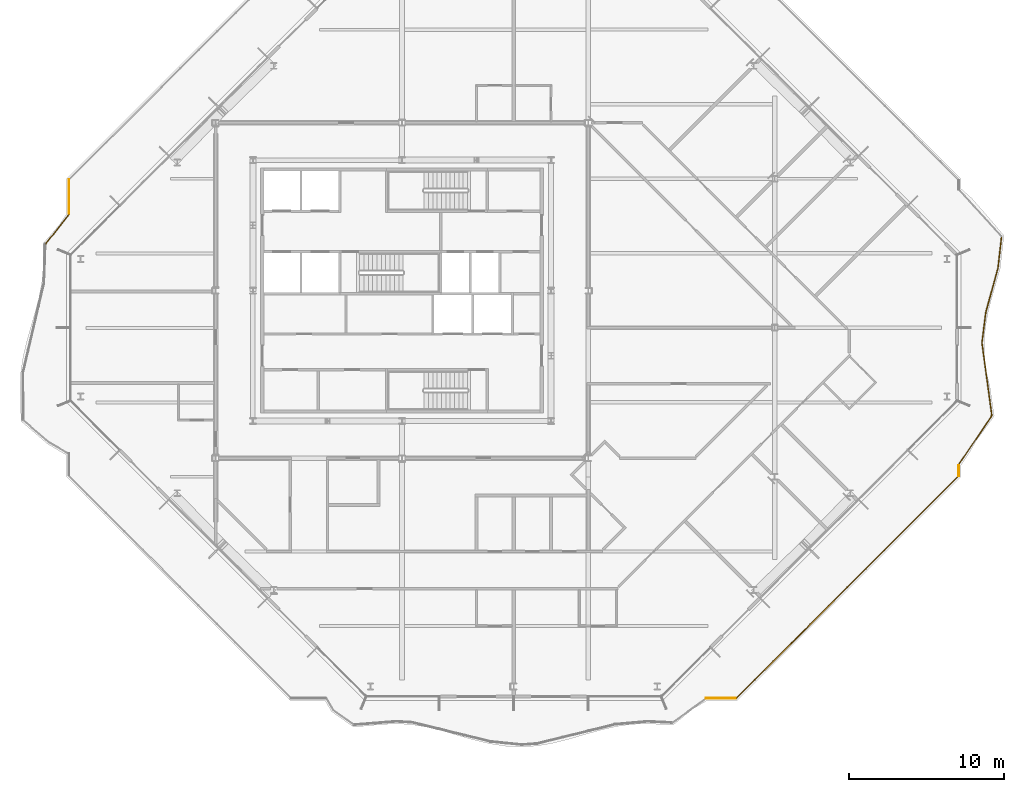
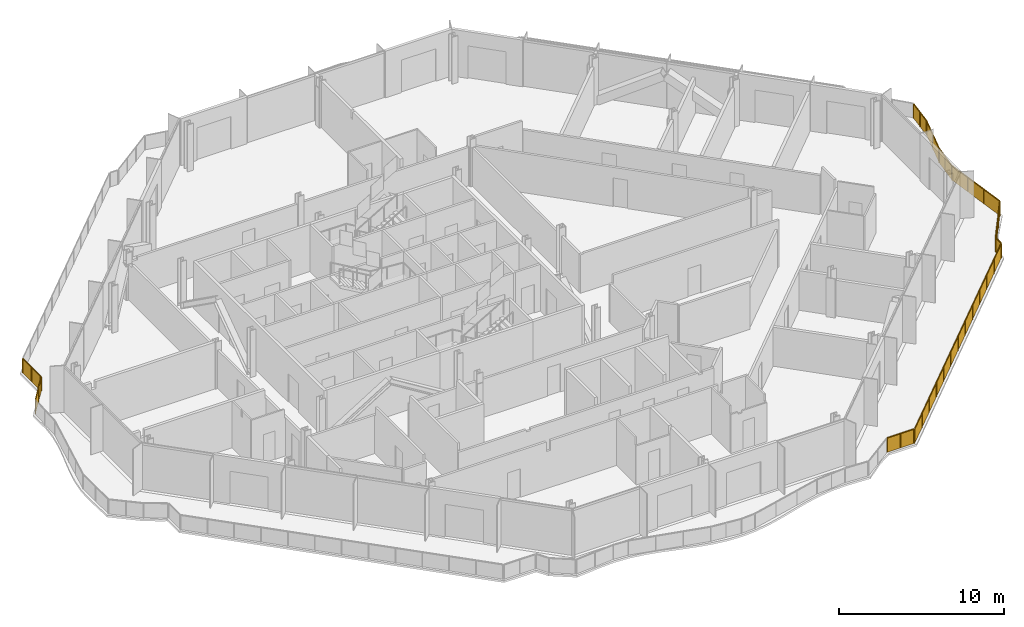
# One storey, part 15 of 17: 7 railings.
"""IFC4 building model written with IfcOpenShell, lengths in metres."""

from ifc_helpers import new_model, si_unit, direction, frame, origin, origin_2d, place, context, subcontext, project, spatial, polyline, rectangle, outline, extrude, material, type_object, element, save


model = new_model("IFC4")

# Units and contexts
model_context = context("Model", 3, precision=1e-05, world=origin(), true_north=direction((0.0, 1.0)))
body_context = subcontext(model_context, "Body", "Model", "MODEL_VIEW")
ifc_project = project(units=[si_unit("LENGTHUNIT", "METRE"), si_unit("AREAUNIT", "SQUARE_METRE"), si_unit("VOLUMEUNIT", "CUBIC_METRE"), si_unit("PLANEANGLEUNIT", "RADIAN"), si_unit("MASSUNIT", "GRAM", prefix="KILO")], contexts=[model_context])

# Site, building, storey
site_placement = place(None, origin())
site = spatial("IfcSite", under=ifc_project, at=site_placement, CompositionType="ELEMENT")
building_placement = place(site_placement, origin())
building = spatial("IfcBuilding", under=site, at=building_placement, Name="Cairn Pilgrim Tower", CompositionType="ELEMENT")
storey_placement = place(building_placement, frame((0.0, 0.0, 210.60009765625)))
storey = spatial("IfcBuildingStorey", under=building, at=storey_placement, Name="L53", CompositionType="ELEMENT", Elevation=210.60009765625)

# Railings
ifc_material = material(Name="Bronze anodised aluminium rail and posts with laminated glass infill", Category="aluminium")
railing_type = type_object("IfcRailingType", Name="BALCONY GUARD 1100", PredefinedType="GUARDRAIL", material=ifc_material)
railing_1_placement = place(storey_placement, frame((26.80322265625, -23.857421875, 0.0)))
element("IfcRailing", 1, at=railing_1_placement, inside=storey, type_object=railing_type, Name="Balcony guard BG-1", PredefinedType="GUARDRAIL", context=body_context, shape_type="SweptSolid", body=[
    extrude(rectangle(XDim=0.050048828125, YDim=0.050048828125, at=origin_2d()), frame((0.0, 0.0, 1.0751953125), z_axis=(0.999992867116, 0.003776998326, 0.0), x_axis=(-0.003776998326, 0.999992867116, 0.0)), (0.0, 0.0, 1.0), 1.87451171875),
    extrude(rectangle(XDim=0.050048828125, YDim=0.050048828125, at=origin_2d()), origin(), (0.0, 0.0, 1.0), 1.050048828125),
    extrude(rectangle(XDim=0.050048828125, YDim=0.050048828125, at=origin_2d()), frame((0.937255859375, 0.00341796875, 0.0)), (0.0, 0.0, 1.0), 1.050048828125),
    extrude(rectangle(XDim=0.050048828125, YDim=0.050048828125, at=origin_2d()), frame((1.87451171875, 0.007080078125, 0.0)), (0.0, 0.0, 1.0), 1.050048828125),
    extrude(outline(polyline([(0.02490234375, 0.0), (0.912353515625, 0.0), (0.912353515625, 1.050048828125), (0.02490234375, 1.050048828125), (0.02490234375, 0.0)])), frame((0.0, 0.005859375, 0.0), z_axis=(0.003776998326, -0.999992867116, 0.0), x_axis=(0.999992867116, 0.003776998326, 0.0)), (0.0, 0.0, 1.0), 0.011962890625),
    extrude(outline(polyline([(0.02490234375, 0.0), (0.912353515625, 0.0), (0.912353515625, 1.050048828125), (0.02490234375, 1.050048828125), (0.02490234375, 0.0)])), frame((0.937255859375, 0.009521484375, 0.0), z_axis=(0.003776998326, -0.999992867116, 0.0), x_axis=(0.999992867116, 0.003776998326, 0.0)), (0.0, 0.0, 1.0), 0.011962890625),
])
railing_2_placement = place(storey_placement, frame((28.737548828125, -23.850341796875, 0.0)))
element("IfcRailing", 2, at=railing_2_placement, inside=storey, type_object=railing_type, Name="Balcony guard BG-2", PredefinedType="GUARDRAIL", context=body_context, shape_type="SweptSolid", body=[
    extrude(rectangle(XDim=0.050048828125, YDim=0.050048828125, at=origin_2d()), frame((0.0, 0.0, 1.0751953125), z_axis=(0.707106781187, 0.707106781187, 0.0), x_axis=(-0.707106781187, 0.707106781187, 0.0)), (0.0, 0.0, 1.0), 20.180908203125),
    extrude(rectangle(XDim=0.050048828125, YDim=0.050048828125, at=origin_2d()), origin(), (0.0, 0.0, 1.0), 1.050048828125),
    extrude(rectangle(XDim=0.050048828125, YDim=0.050048828125, at=origin_2d()), frame((1.189208984375, 1.189208984375, 0.0)), (0.0, 0.0, 1.0), 1.050048828125),
    extrude(rectangle(XDim=0.050048828125, YDim=0.050048828125, at=origin_2d()), frame((2.37841796875, 2.37841796875, 0.0)), (0.0, 0.0, 1.0), 1.050048828125),
    extrude(rectangle(XDim=0.050048828125, YDim=0.050048828125, at=origin_2d()), frame((3.5673828125, 3.5673828125, 0.0)), (0.0, 0.0, 1.0), 1.050048828125),
    extrude(rectangle(XDim=0.050048828125, YDim=0.050048828125, at=origin_2d()), frame((4.756591796875, 4.756591796875, 0.0)), (0.0, 0.0, 1.0), 1.050048828125),
    extrude(rectangle(XDim=0.050048828125, YDim=0.050048828125, at=origin_2d()), frame((5.94580078125, 5.94580078125, 0.0)), (0.0, 0.0, 1.0), 1.050048828125),
    extrude(rectangle(XDim=0.050048828125, YDim=0.050048828125, at=origin_2d()), frame((7.135009765625, 7.135009765625, 0.0)), (0.0, 0.0, 1.0), 1.050048828125),
    extrude(rectangle(XDim=0.050048828125, YDim=0.050048828125, at=origin_2d()), frame((8.32421875, 8.32421875, 0.0)), (0.0, 0.0, 1.0), 1.050048828125),
    extrude(rectangle(XDim=0.050048828125, YDim=0.050048828125, at=origin_2d()), frame((9.513427734375, 9.513427734375, 0.0)), (0.0, 0.0, 1.0), 1.050048828125),
    extrude(rectangle(XDim=0.050048828125, YDim=0.050048828125, at=origin_2d()), frame((10.70263671875, 10.70263671875, 0.0)), (0.0, 0.0, 1.0), 1.050048828125),
    extrude(rectangle(XDim=0.050048828125, YDim=0.050048828125, at=origin_2d()), frame((11.8916015625, 11.8916015625, 0.0)), (0.0, 0.0, 1.0), 1.050048828125),
    extrude(rectangle(XDim=0.050048828125, YDim=0.050048828125, at=origin_2d()), frame((13.080810546875, 13.080810546875, 0.0)), (0.0, 0.0, 1.0), 1.050048828125),
    extrude(rectangle(XDim=0.050048828125, YDim=0.050048828125, at=origin_2d()), frame((14.27001953125, 14.27001953125, 0.0)), (0.0, 0.0, 1.0), 1.050048828125),
    extrude(outline(polyline([(0.02490234375, 0.0), (1.65673828125, 0.0), (1.65673828125, 1.050048828125), (0.02490234375, 1.050048828125), (0.02490234375, 0.0)])), frame((-0.004150390625, 0.004150390625, 0.0), z_axis=(0.707106781187, -0.707106781187, 0.0), x_axis=(0.707106781187, 0.707106781187, 0.0)), (0.0, 0.0, 1.0), 0.011962890625),
    extrude(outline(polyline([(0.02490234375, 0.0), (1.65673828125, 0.0), (1.65673828125, 1.050048828125), (0.02490234375, 1.050048828125), (0.02490234375, 0.0)])), frame((1.18505859375, 1.193359375, 0.0), z_axis=(0.707106781187, -0.707106781187, 0.0), x_axis=(0.707106781187, 0.707106781187, 0.0)), (0.0, 0.0, 1.0), 0.011962890625),
    extrude(outline(polyline([(0.02490234375, 0.0), (1.65673828125, 0.0), (1.65673828125, 1.050048828125), (0.02490234375, 1.050048828125), (0.02490234375, 0.0)])), frame((2.3740234375, 2.382568359375, 0.0), z_axis=(0.707106781187, -0.707106781187, 0.0), x_axis=(0.707106781187, 0.707106781187, 0.0)), (0.0, 0.0, 1.0), 0.011962890625),
    extrude(outline(polyline([(0.02490234375, 0.0), (1.65673828125, 0.0), (1.65673828125, 1.050048828125), (0.02490234375, 1.050048828125), (0.02490234375, 0.0)])), frame((3.563232421875, 3.57177734375, 0.0), z_axis=(0.707106781187, -0.707106781187, 0.0), x_axis=(0.707106781187, 0.707106781187, 0.0)), (0.0, 0.0, 1.0), 0.011962890625),
    extrude(outline(polyline([(0.02490234375, 0.0), (1.65673828125, 0.0), (1.65673828125, 1.050048828125), (0.02490234375, 1.050048828125), (0.02490234375, 0.0)])), frame((4.75244140625, 4.760986328125, 0.0), z_axis=(0.707106781187, -0.707106781187, 0.0), x_axis=(0.707106781187, 0.707106781187, 0.0)), (0.0, 0.0, 1.0), 0.011962890625),
    extrude(outline(polyline([(0.02490234375, 0.0), (1.65673828125, 0.0), (1.65673828125, 1.050048828125), (0.02490234375, 1.050048828125), (0.02490234375, 0.0)])), frame((5.941650390625, 5.949951171875, 0.0), z_axis=(0.707106781187, -0.707106781187, 0.0), x_axis=(0.707106781187, 0.707106781187, 0.0)), (0.0, 0.0, 1.0), 0.011962890625),
    extrude(outline(polyline([(0.02490234375, 0.0), (1.65673828125, 0.0), (1.65673828125, 1.050048828125), (0.02490234375, 1.050048828125), (0.02490234375, 0.0)])), frame((7.130859375, 7.13916015625, 0.0), z_axis=(0.707106781187, -0.707106781187, 0.0), x_axis=(0.707106781187, 0.707106781187, 0.0)), (0.0, 0.0, 1.0), 0.011962890625),
    extrude(outline(polyline([(0.02490234375, 0.0), (1.65673828125, 0.0), (1.65673828125, 1.050048828125), (0.02490234375, 1.050048828125), (0.02490234375, 0.0)])), frame((8.320068359375, 8.328369140625, 0.0), z_axis=(0.707106781187, -0.707106781187, 0.0), x_axis=(0.707106781187, 0.707106781187, 0.0)), (0.0, 0.0, 1.0), 0.011962890625),
    extrude(outline(polyline([(0.02490234375, 0.0), (1.65673828125, 0.0), (1.65673828125, 1.050048828125), (0.02490234375, 1.050048828125), (0.02490234375, 0.0)])), frame((9.509033203125, 9.517578125, 0.0), z_axis=(0.707106781187, -0.707106781187, 0.0), x_axis=(0.707106781187, 0.707106781187, 0.0)), (0.0, 0.0, 1.0), 0.011962890625),
    extrude(outline(polyline([(0.02490234375, 0.0), (1.65673828125, 0.0), (1.65673828125, 1.050048828125), (0.02490234375, 1.050048828125), (0.02490234375, 0.0)])), frame((10.6982421875, 10.706787109375, 0.0), z_axis=(0.707106781187, -0.707106781187, 0.0), x_axis=(0.707106781187, 0.707106781187, 0.0)), (0.0, 0.0, 1.0), 0.011962890625),
    extrude(outline(polyline([(0.02490234375, 0.0), (1.65673828125, 0.0), (1.65673828125, 1.050048828125), (0.02490234375, 1.050048828125), (0.02490234375, 0.0)])), frame((11.887451171875, 11.89599609375, 0.0), z_axis=(0.707106781187, -0.707106781187, 0.0), x_axis=(0.707106781187, 0.707106781187, 0.0)), (0.0, 0.0, 1.0), 0.011962890625),
    extrude(outline(polyline([(0.02490234375, 0.0), (1.65673828125, 0.0), (1.65673828125, 1.050048828125), (0.02490234375, 1.050048828125), (0.02490234375, 0.0)])), frame((13.07666015625, 13.0849609375, 0.0), z_axis=(0.707106781187, -0.707106781187, 0.0), x_axis=(0.707106781187, 0.707106781187, 0.0)), (0.0, 0.0, 1.0), 0.011962890625),
])
railing_3_placement = place(storey_placement, frame((43.050048828125, -9.537841796875, 0.0)))
element("IfcRailing", 3, at=railing_3_placement, inside=storey, type_object=railing_type, Name="Balcony guard BG-3", PredefinedType="GUARDRAIL", context=body_context, shape_type="SweptSolid", body=[
    extrude(rectangle(XDim=0.050048828125, YDim=0.050048828125, at=origin_2d()), frame((0.0, 0.0, 1.0751953125), z_axis=(0.0, 1.0, 0.0), x_axis=(-1.0, 0.0, 0.0)), (0.0, 0.0, 1.0), 0.663818359375),
    extrude(rectangle(XDim=0.050048828125, YDim=0.050048828125, at=origin_2d()), origin(), (0.0, 0.0, 1.0), 1.050048828125),
    extrude(rectangle(XDim=0.050048828125, YDim=0.050048828125, at=origin_2d()), frame((0.0, 0.663818359375, 0.0)), (0.0, 0.0, 1.0), 1.050048828125),
    extrude(outline(polyline([(0.02490234375, 0.0), (0.638671875, 0.0), (0.638671875, 1.050048828125), (0.02490234375, 1.050048828125), (0.02490234375, 0.0)])), frame((-0.005859375, 0.0, 0.0), z_axis=(1.0, 0.0, 0.0), x_axis=(0.0, 1.0, 0.0)), (0.0, 0.0, 1.0), 0.011962890625),
])
railing_4_placement = place(storey_placement, frame((43.050048828125, -8.81396484375, 0.0)))
element("IfcRailing", 4, at=railing_4_placement, inside=storey, type_object=railing_type, Name="Balcony guard BG-4", PredefinedType="GUARDRAIL", context=body_context, shape_type="SweptSolid", body=[
    extrude(rectangle(XDim=0.050048828125, YDim=0.050048828125, at=origin_2d()), frame((0.0, 0.0, 1.0751953125), z_axis=(0.560563670097, 0.828111328124, 0.0), x_axis=(-0.828111328124, 0.560563670097, 0.0)), (0.0, 0.0, 1.0), 3.7578125),
    extrude(rectangle(XDim=0.050048828125, YDim=0.050048828125, at=origin_2d()), origin(), (0.0, 0.0, 1.0), 1.050048828125),
    extrude(rectangle(XDim=0.050048828125, YDim=0.050048828125, at=origin_2d()), frame((0.7021484375, 1.037353515625, 0.0)), (0.0, 0.0, 1.0), 1.050048828125),
    extrude(rectangle(XDim=0.050048828125, YDim=0.050048828125, at=origin_2d()), frame((1.404296875, 2.074462890625, 0.0)), (0.0, 0.0, 1.0), 1.050048828125),
    extrude(rectangle(XDim=0.050048828125, YDim=0.050048828125, at=origin_2d()), frame((2.1064453125, 3.11181640625, 0.0)), (0.0, 0.0, 1.0), 1.050048828125),
    extrude(outline(polyline([(0.02490234375, 0.0), (1.2275390625, 0.0), (1.2275390625, 1.050048828125), (0.02490234375, 1.050048828125), (0.02490234375, 0.0)])), frame((-0.0048828125, 0.00341796875, 0.0), z_axis=(0.828111328124, -0.560563670097, 0.0), x_axis=(0.560563670097, 0.828111328124, 0.0)), (0.0, 0.0, 1.0), 0.011962890625),
    extrude(outline(polyline([(0.02490234375, 0.0), (1.2275390625, 0.0), (1.2275390625, 1.050048828125), (0.02490234375, 1.050048828125), (0.02490234375, 0.0)])), frame((0.697265625, 1.04052734375, 0.0), z_axis=(0.828111328124, -0.560563670097, 0.0), x_axis=(0.560563670097, 0.828111328124, 0.0)), (0.0, 0.0, 1.0), 0.011962890625),
    extrude(outline(polyline([(0.02490234375, 0.0), (1.2275390625, 0.0), (1.2275390625, 1.050048828125), (0.02490234375, 1.050048828125), (0.02490234375, 0.0)])), frame((1.3994140625, 2.077880859375, 0.0), z_axis=(0.828111328124, -0.560563670097, 0.0), x_axis=(0.560563670097, 0.828111328124, 0.0)), (0.0, 0.0, 1.0), 0.011962890625),
])
railing_5_placement = place(storey_placement, frame((45.18994140625, -5.652587890625, 0.0)))
element("IfcRailing", 5, at=railing_5_placement, inside=storey, type_object=railing_type, Name="Balcony guard BG-5", PredefinedType="GUARDRAIL", context=body_context, shape_type="SweptSolid", body=[
    extrude(rectangle(XDim=0.050048828125, YDim=0.050048828125, at=origin_2d()), frame((0.0, 0.0, 1.0751953125), z_axis=(-0.134979758369, 0.990848356123, 0.0), x_axis=(-0.990848356123, -0.134979758369, 0.0)), (0.0, 0.0, 1.0), 4.7353515625),
    extrude(rectangle(XDim=0.050048828125, YDim=0.050048828125, at=origin_2d()), frame((-0.63916015625, 4.69189453125, 1.0751953125), z_axis=(0.124829629742, 0.992178191425, 0.0), x_axis=(-0.992178191425, 0.124829629742, 0.0)), (0.0, 0.0, 1.0), 1.965576171875),
    extrude(rectangle(XDim=0.050048828125, YDim=0.050048828125, at=origin_2d()), frame((-0.393798828125, 6.64208984375, 1.0751953125), z_axis=(0.265019641113, 0.964243013884, 0.0), x_axis=(-0.964243013884, 0.265019641113, 0.0)), (0.0, 0.0, 1.0), 2.985595703125),
    extrude(rectangle(XDim=0.050048828125, YDim=0.050048828125, at=origin_2d()), frame((0.3974609375, 9.52099609375, 1.0751953125), z_axis=(0.110932059166, 0.993827992285, 0.0), x_axis=(-0.993827992285, 0.110932059166, 0.0)), (0.0, 0.0, 1.0), 1.980712890625),
    extrude(rectangle(XDim=0.050048828125, YDim=0.050048828125, at=origin_2d()), origin(), (0.0, 0.0, 1.0), 1.050048828125),
    extrude(rectangle(XDim=0.050048828125, YDim=0.050048828125, at=origin_2d()), frame((-0.213134765625, 1.56396484375, 0.0)), (0.0, 0.0, 1.0), 1.050048828125),
    extrude(rectangle(XDim=0.050048828125, YDim=0.050048828125, at=origin_2d()), frame((-0.426025390625, 3.1279296875, 0.0)), (0.0, 0.0, 1.0), 1.050048828125),
    extrude(rectangle(XDim=0.050048828125, YDim=0.050048828125, at=origin_2d()), frame((-0.63916015625, 4.69189453125, 0.0)), (0.0, 0.0, 1.0), 1.050048828125),
    extrude(rectangle(XDim=0.050048828125, YDim=0.050048828125, at=origin_2d()), frame((-0.5166015625, 5.6669921875, 0.0)), (0.0, 0.0, 1.0), 1.050048828125),
    extrude(rectangle(XDim=0.050048828125, YDim=0.050048828125, at=origin_2d()), frame((-0.393798828125, 6.64208984375, 0.0)), (0.0, 0.0, 1.0), 1.050048828125),
    extrude(rectangle(XDim=0.050048828125, YDim=0.050048828125, at=origin_2d()), frame((0.001953125, 8.08154296875, 0.0)), (0.0, 0.0, 1.0), 1.050048828125),
    extrude(rectangle(XDim=0.050048828125, YDim=0.050048828125, at=origin_2d()), frame((0.3974609375, 9.52099609375, 0.0)), (0.0, 0.0, 1.0), 1.050048828125),
    extrude(rectangle(XDim=0.050048828125, YDim=0.050048828125, at=origin_2d()), frame((0.50732421875, 10.50537109375, 0.0)), (0.0, 0.0, 1.0), 1.050048828125),
    extrude(rectangle(XDim=0.050048828125, YDim=0.050048828125, at=origin_2d()), frame((0.6171875, 11.489501953125, 0.0)), (0.0, 0.0, 1.0), 1.050048828125),
    extrude(outline(polyline([(0.02490234375, 0.0), (1.553466796875, 0.0), (1.553466796875, 1.050048828125), (0.02490234375, 1.050048828125), (0.02490234375, 0.0)])), frame((-0.005859375, -0.000732421875, 0.0), z_axis=(0.990848356123, 0.134979758369, 0.0), x_axis=(-0.134979758369, 0.990848356123, 0.0)), (0.0, 0.0, 1.0), 0.011962890625),
    extrude(outline(polyline([(0.02490234375, 0.0), (1.553466796875, 0.0), (1.553466796875, 1.050048828125), (0.02490234375, 1.050048828125), (0.02490234375, 0.0)])), frame((-0.218994140625, 1.563232421875, 0.0), z_axis=(0.990848356123, 0.134979758369, 0.0), x_axis=(-0.134979758369, 0.990848356123, 0.0)), (0.0, 0.0, 1.0), 0.011962890625),
    extrude(outline(polyline([(0.02490234375, 0.0), (1.553466796875, 0.0), (1.553466796875, 1.050048828125), (0.02490234375, 1.050048828125), (0.02490234375, 0.0)])), frame((-0.43212890625, 3.127197265625, 0.0), z_axis=(0.990848356123, 0.134979758369, 0.0), x_axis=(-0.134979758369, 0.990848356123, 0.0)), (0.0, 0.0, 1.0), 0.011962890625),
    extrude(outline(polyline([(0.02490234375, 0.0), (0.957763671875, 0.0), (0.957763671875, 1.050048828125), (0.02490234375, 1.050048828125), (0.02490234375, 0.0)])), frame((-0.64501953125, 4.692626953125, 0.0), z_axis=(0.992178191425, -0.124829629742, 0.0), x_axis=(0.124829629742, 0.992178191425, 0.0)), (0.0, 0.0, 1.0), 0.011962890625),
    extrude(outline(polyline([(0.02490234375, 0.0), (0.957763671875, 0.0), (0.957763671875, 1.050048828125), (0.02490234375, 1.050048828125), (0.02490234375, 0.0)])), frame((-0.5224609375, 5.667724609375, 0.0), z_axis=(0.992178191425, -0.124829629742, 0.0), x_axis=(0.124829629742, 0.992178191425, 0.0)), (0.0, 0.0, 1.0), 0.011962890625),
    extrude(outline(polyline([(0.02490234375, 0.0), (1.4677734375, 0.0), (1.4677734375, 1.050048828125), (0.02490234375, 1.050048828125), (0.02490234375, 0.0)])), frame((-0.399658203125, 6.6435546875, 0.0), z_axis=(0.964243013884, -0.265019641113, 0.0), x_axis=(0.265019641113, 0.964243013884, 0.0)), (0.0, 0.0, 1.0), 0.011962890625),
    extrude(outline(polyline([(0.02490234375, 0.0), (1.4677734375, 0.0), (1.4677734375, 1.050048828125), (0.02490234375, 1.050048828125), (0.02490234375, 0.0)])), frame((-0.00390625, 8.0830078125, 0.0), z_axis=(0.964243013884, -0.265019641113, 0.0), x_axis=(0.265019641113, 0.964243013884, 0.0)), (0.0, 0.0, 1.0), 0.011962890625),
    extrude(outline(polyline([(0.02490234375, 0.0), (0.96533203125, 0.0), (0.96533203125, 1.050048828125), (0.02490234375, 1.050048828125), (0.02490234375, 0.0)])), frame((0.3916015625, 9.521728515625, 0.0), z_axis=(0.993827992285, -0.110932059166, 0.0), x_axis=(0.110932059166, 0.993827992285, 0.0)), (0.0, 0.0, 1.0), 0.011962890625),
    extrude(outline(polyline([(0.02490234375, 0.0), (0.96533203125, 0.0), (0.96533203125, 1.050048828125), (0.02490234375, 1.050048828125), (0.02490234375, 0.0)])), frame((0.50146484375, 10.505859375, 0.0), z_axis=(0.993827992285, -0.110932059166, 0.0), x_axis=(0.110932059166, 0.993827992285, 0.0)), (0.0, 0.0, 1.0), 0.011962890625),
])
railing_6_placement = place(storey_placement, frame((-14.25, 9.537841796875, 0.0)))
element("IfcRailing", 6, at=railing_6_placement, inside=storey, type_object=railing_type, Name="Balcony guard BG-15", PredefinedType="GUARDRAIL", context=body_context, shape_type="SweptSolid", body=[
    extrude(rectangle(XDim=0.050048828125, YDim=0.050048828125, at=origin_2d()), frame((0.0, 0.0, 1.0751953125), z_axis=(0.0, -1.0, 0.0), x_axis=(1.0, 0.0, 0.0)), (0.0, 0.0, 1.0), 2.18115234375),
    extrude(rectangle(XDim=0.050048828125, YDim=0.050048828125, at=origin_2d()), origin(), (0.0, 0.0, 1.0), 1.050048828125),
    extrude(rectangle(XDim=0.050048828125, YDim=0.050048828125, at=origin_2d()), frame((0.0, -1.090576171875, 0.0)), (0.0, 0.0, 1.0), 1.050048828125),
    extrude(rectangle(XDim=0.050048828125, YDim=0.050048828125, at=origin_2d()), frame((0.0, -2.18115234375, 0.0)), (0.0, 0.0, 1.0), 1.050048828125),
    extrude(outline(polyline([(0.02490234375, 0.0), (1.0654296875, 0.0), (1.0654296875, 1.050048828125), (0.02490234375, 1.050048828125), (0.02490234375, 0.0)])), frame((0.005859375, 0.0, 0.0), z_axis=(-1.0, 0.0, 0.0), x_axis=(0.0, -1.0, 0.0)), (0.0, 0.0, 1.0), 0.011962890625),
    extrude(outline(polyline([(0.02490234375, 0.0), (1.0654296875, 0.0), (1.0654296875, 1.050048828125), (0.02490234375, 1.050048828125), (0.02490234375, 0.0)])), frame((0.005859375, -1.090576171875, 0.0), z_axis=(-1.0, 0.0, 0.0), x_axis=(0.0, -1.0, 0.0)), (0.0, 0.0, 1.0), 0.011962890625),
])
railing_7_placement = place(storey_placement, frame((-14.25, 7.296630859375, 0.0)))
element("IfcRailing", 7, at=railing_7_placement, inside=storey, type_object=railing_type, Name="Balcony guard BG-16", PredefinedType="GUARDRAIL", context=body_context, shape_type="SweptSolid", body=[
    extrude(rectangle(XDim=0.050048828125, YDim=0.050048828125, at=origin_2d()), frame((0.0, 0.0, 1.0751953125), z_axis=(-0.619799930218, -0.784759865502, 0.0), x_axis=(0.784759865502, -0.619799930218, 0.0)), (0.0, 0.0, 1.0), 2.39013671875),
    extrude(rectangle(XDim=0.050048828125, YDim=0.050048828125, at=origin_2d()), origin(), (0.0, 0.0, 1.0), 1.050048828125),
    extrude(rectangle(XDim=0.050048828125, YDim=0.050048828125, at=origin_2d()), frame((-0.74072265625, -0.93798828125, 0.0)), (0.0, 0.0, 1.0), 1.050048828125),
    extrude(rectangle(XDim=0.050048828125, YDim=0.050048828125, at=origin_2d()), frame((-1.4814453125, -1.875732421875, 0.0)), (0.0, 0.0, 1.0), 1.050048828125),
    extrude(outline(polyline([(0.02490234375, 0.0), (1.170166015625, 0.0), (1.170166015625, 1.050048828125), (0.02490234375, 1.050048828125), (0.02490234375, 0.0)])), frame((0.004638671875, -0.003662109375, 0.0), z_axis=(-0.784759865502, 0.619799930218, 0.0), x_axis=(-0.619799930218, -0.784759865502, 0.0)), (0.0, 0.0, 1.0), 0.011962890625),
    extrude(outline(polyline([(0.02490234375, 0.0), (1.170166015625, 0.0), (1.170166015625, 1.050048828125), (0.02490234375, 1.050048828125), (0.02490234375, 0.0)])), frame((-0.736083984375, -0.941650390625, 0.0), z_axis=(-0.784759865502, 0.619799930218, 0.0), x_axis=(-0.619799930218, -0.784759865502, 0.0)), (0.0, 0.0, 1.0), 0.011962890625),
])

save(model, "model.ifc")
